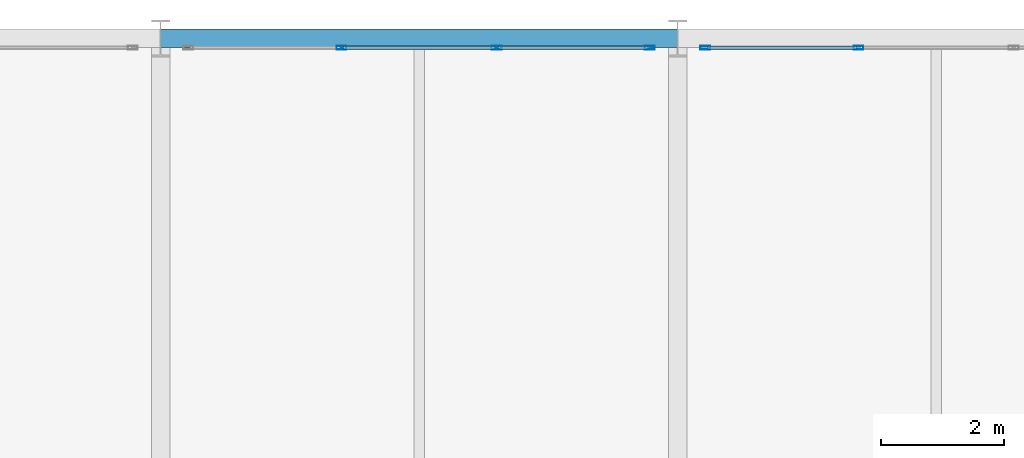
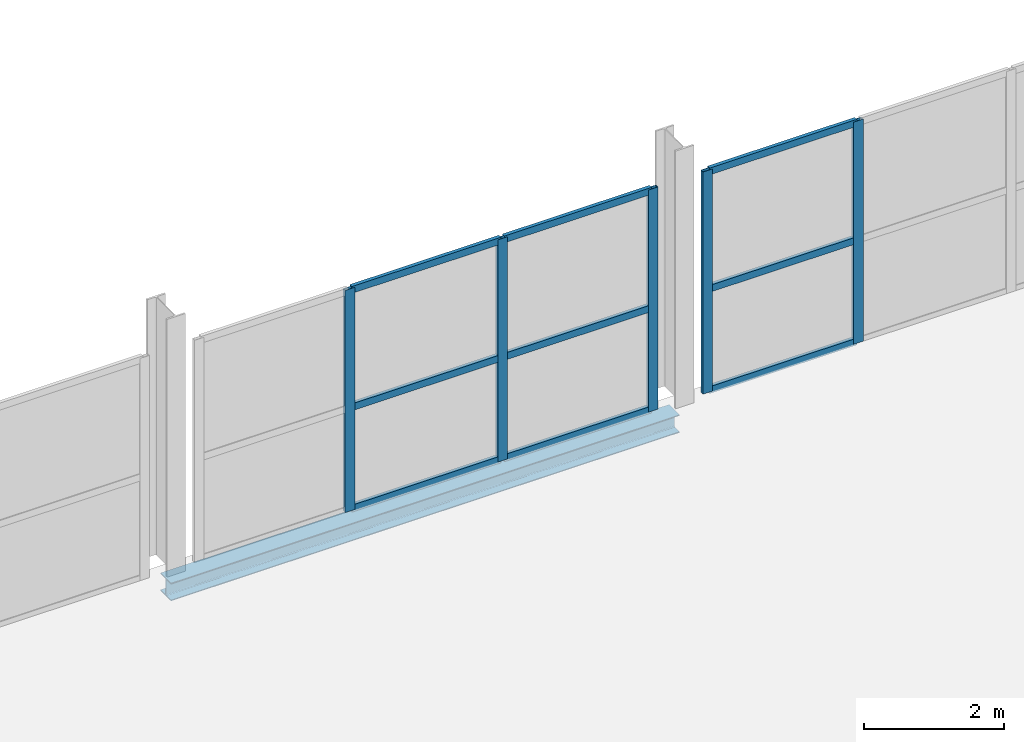
# One storey, part 56 of 109: 14 members, 1 beam, 2 elements without a shape of their own.
"""IFC4 building model written with IfcOpenShell, lengths in metres."""

from ifc_helpers import new_model, si_unit, direction, frame, origin, origin_2d, place, context, subcontext, project, spatial, hollow_rectangle, i_section, extrude, material, material_profile, profile_set, type_object, element, aggregate, save


model = new_model("IFC4")

# Units and contexts
model_context = context("Model", 3, precision=1e-05, world=origin(), true_north=direction((0.0, 1.0)))
body_context = subcontext(model_context, "Body", "Model", "MODEL_VIEW")
ifc_project = project(units=[si_unit("LENGTHUNIT", "METRE"), si_unit("AREAUNIT", "SQUARE_METRE"), si_unit("VOLUMEUNIT", "CUBIC_METRE"), si_unit("PLANEANGLEUNIT", "RADIAN"), si_unit("MASSUNIT", "GRAM", prefix="KILO")], contexts=[model_context])

# Site, building, storey
site_placement = place(None, origin())
site = spatial("IfcSite", under=ifc_project, at=site_placement, CompositionType="ELEMENT")
building_placement = place(site_placement, origin())
building = spatial("IfcBuilding", under=site, at=building_placement, Name="Veltarok Museum of Natural Sciences", CompositionType="ELEMENT")
storey_placement = place(building_placement, frame((0.0, 0.0, 17.39990234375)))
storey = spatial("IfcBuildingStorey", under=building, at=storey_placement, Name="L03", CompositionType="ELEMENT", Elevation=17.39990234375)

# Curtain wall, members
ifc_material_1 = material(Name="Low-iron triple insulated glass", Category="glass")
curtain_wall_type_1 = type_object("IfcCurtainWallType", Name="Curtain Wall System CW-V2N-L03-8-756x388 (V2 North Hall L03 8-9 756x388cm)", PredefinedType="NOTDEFINED", material=ifc_material_1)
curtain_wall_1_placement = place(storey_placement, origin())
curtain_wall_1 = element("IfcCurtainWall", 1, at=curtain_wall_1_placement, inside=storey, type_object=curtain_wall_type_1, Name="Curtain Wall CW-V2N-L03-8-756x388 CW-0057", PredefinedType="NOTDEFINED")
ifc_material_2 = material(Name="Thermally broken anodised aluminium", Category="aluminium")
ifc_material_profile_1 = material_profile(ifc_material_2, hollow_rectangle(XDim=0.06005859375, YDim=0.1201171875, WallThickness=0.0048828125, at=origin_2d()), Name="CW TRANSOM 60x120x5")
ifc_profile_set_1 = profile_set([ifc_material_profile_1], Name="Thermally broken anodised aluminium")
member_type_1 = type_object("IfcMemberType", Name="Curtain Wall Horizontal Transom 60x120x5", PredefinedType="USERDEFINED", material=ifc_profile_set_1)
member_1_placement = place(storey_placement, frame((73.1201171875, 71.85009765625, 0.030029296875), z_axis=(-1.0, 0.0, 0.0), x_axis=(0.0, -1.0, 0.0)))
member_1 = element("IfcMember", 2, at=member_1_placement, type_object=member_type_1, Name="CW-V2N-L03-8-756x388 transom 1.1", ObjectType="TRANSOM", PredefinedType="USERDEFINED", context=body_context, shape_type="SweptSolid", body=[
    extrude(hollow_rectangle(XDim=0.06005859375, YDim=0.1201171875, WallThickness=0.0048828125, at=origin_2d()), origin(), (0.0, 0.0, 1.0), 2.43017578125),
])
member_2_placement = place(storey_placement, frame((73.1201171875, 71.85009765625, 1.800048828125), z_axis=(-1.0, 0.0, 0.0), x_axis=(0.0, -1.0, 0.0)))
member_2 = element("IfcMember", 3, at=member_2_placement, type_object=member_type_1, Name="CW-V2N-L03-8-756x388 transom 1.2", ObjectType="TRANSOM", PredefinedType="USERDEFINED", context=body_context, shape_type="SweptSolid", body=[
    extrude(hollow_rectangle(XDim=0.06005859375, YDim=0.1201171875, WallThickness=0.0048828125, at=origin_2d()), origin(), (0.0, 0.0, 1.0), 2.43017578125),
])
member_3_placement = place(storey_placement, frame((73.1201171875, 71.85009765625, 3.85009765625), z_axis=(-1.0, 0.0, 0.0), x_axis=(0.0, -1.0, 0.0)))
member_3 = element("IfcMember", 4, at=member_3_placement, type_object=member_type_1, Name="CW-V2N-L03-8-756x388 transom 1.3", ObjectType="TRANSOM", PredefinedType="USERDEFINED", context=body_context, shape_type="SweptSolid", body=[
    extrude(hollow_rectangle(XDim=0.06005859375, YDim=0.1201171875, WallThickness=0.0048828125, at=origin_2d()), origin(), (0.0, 0.0, 1.0), 2.43017578125),
])
member_4_placement = place(storey_placement, frame((70.6298828125, 71.85009765625, 0.030029296875), z_axis=(-1.0, 0.0, 0.0), x_axis=(0.0, -1.0, 0.0)))
member_4 = element("IfcMember", 5, at=member_4_placement, type_object=member_type_1, Name="CW-V2N-L03-8-756x388 transom 2.1", ObjectType="TRANSOM", PredefinedType="USERDEFINED", context=body_context, shape_type="SweptSolid", body=[
    extrude(hollow_rectangle(XDim=0.06005859375, YDim=0.1201171875, WallThickness=0.0048828125, at=origin_2d()), origin(), (0.0, 0.0, 1.0), 2.4599609375),
])
member_5_placement = place(storey_placement, frame((70.6298828125, 71.85009765625, 1.800048828125), z_axis=(-1.0, 0.0, 0.0), x_axis=(0.0, -1.0, 0.0)))
member_5 = element("IfcMember", 6, at=member_5_placement, type_object=member_type_1, Name="CW-V2N-L03-8-756x388 transom 2.2", ObjectType="TRANSOM", PredefinedType="USERDEFINED", context=body_context, shape_type="SweptSolid", body=[
    extrude(hollow_rectangle(XDim=0.06005859375, YDim=0.1201171875, WallThickness=0.0048828125, at=origin_2d()), origin(), (0.0, 0.0, 1.0), 2.4599609375),
])
member_6_placement = place(storey_placement, frame((70.6298828125, 71.85009765625, 3.85009765625), z_axis=(-1.0, 0.0, 0.0), x_axis=(0.0, -1.0, 0.0)))
member_6 = element("IfcMember", 7, at=member_6_placement, type_object=member_type_1, Name="CW-V2N-L03-8-756x388 transom 2.3", ObjectType="TRANSOM", PredefinedType="USERDEFINED", context=body_context, shape_type="SweptSolid", body=[
    extrude(hollow_rectangle(XDim=0.06005859375, YDim=0.1201171875, WallThickness=0.0048828125, at=origin_2d()), origin(), (0.0, 0.0, 1.0), 2.4599609375),
])

curtain_wall_type_2 = type_object("IfcCurtainWallType", Name="Curtain Wall System CW-V2N-L03-9-756x388 (V2 North Hall L03 9-10 756x388cm)", PredefinedType="NOTDEFINED", material=ifc_material_1)
curtain_wall_2_placement = place(storey_placement, origin())
curtain_wall_2 = element("IfcCurtainWall", 8, at=curtain_wall_2_placement, inside=storey, type_object=curtain_wall_type_2, Name="Curtain Wall CW-V2N-L03-9-756x388 CW-0058", PredefinedType="NOTDEFINED")
member_7_placement = place(storey_placement, frame((76.510009765625, 71.85009765625, 0.030029296875), z_axis=(-1.0, 0.0, 0.0), x_axis=(0.0, -1.0, 0.0)))
member_7 = element("IfcMember", 9, at=member_7_placement, type_object=member_type_1, Name="CW-V2N-L03-9-756x388 transom 3.1", ObjectType="TRANSOM", PredefinedType="USERDEFINED", context=body_context, shape_type="SweptSolid", body=[
    extrude(hollow_rectangle(XDim=0.06005859375, YDim=0.1201171875, WallThickness=0.0048828125, at=origin_2d()), origin(), (0.0, 0.0, 1.0), 2.429931640625),
])
member_8_placement = place(storey_placement, frame((76.510009765625, 71.85009765625, 1.800048828125), z_axis=(-1.0, 0.0, 0.0), x_axis=(0.0, -1.0, 0.0)))
member_8 = element("IfcMember", 10, at=member_8_placement, type_object=member_type_1, Name="CW-V2N-L03-9-756x388 transom 3.2", ObjectType="TRANSOM", PredefinedType="USERDEFINED", context=body_context, shape_type="SweptSolid", body=[
    extrude(hollow_rectangle(XDim=0.06005859375, YDim=0.1201171875, WallThickness=0.0048828125, at=origin_2d()), origin(), (0.0, 0.0, 1.0), 2.429931640625),
])
member_9_placement = place(storey_placement, frame((76.510009765625, 71.85009765625, 3.85009765625), z_axis=(-1.0, 0.0, 0.0), x_axis=(0.0, -1.0, 0.0)))
member_9 = element("IfcMember", 11, at=member_9_placement, type_object=member_type_1, Name="CW-V2N-L03-9-756x388 transom 3.3", ObjectType="TRANSOM", PredefinedType="USERDEFINED", context=body_context, shape_type="SweptSolid", body=[
    extrude(hollow_rectangle(XDim=0.06005859375, YDim=0.1201171875, WallThickness=0.0048828125, at=origin_2d()), origin(), (0.0, 0.0, 1.0), 2.429931640625),
])

# Member
ifc_material_profile_2 = material_profile(ifc_material_2, hollow_rectangle(XDim=0.06005859375, YDim=0.159912109375, WallThickness=0.0048828125, at=origin_2d()), Name="CW MULLION 60x160x5")
ifc_profile_set_2 = profile_set([ifc_material_profile_2], Name="Thermally broken anodised aluminium")
member_type_2 = type_object("IfcMemberType", Name="Curtain Wall Vertical Mullion 60x160x5", PredefinedType="MULLION", material=ifc_profile_set_2)
member_10_placement = place(storey_placement, frame((73.14990234375, 71.85009765625, 0.0), z_axis=(0.0, 0.0, 1.0), x_axis=(0.0, -1.0, 0.0)))
member_10 = element("IfcMember", 12, at=member_10_placement, type_object=member_type_2, Name="CW-V2N-L03-8-756x388 mullion 1", PredefinedType="MULLION", context=body_context, shape_type="SweptSolid", body=[
    extrude(hollow_rectangle(XDim=0.06005859375, YDim=0.159912109375, WallThickness=0.0048828125, at=origin_2d()), origin(), (0.0, 0.0, 1.0), 3.880126953125),
])

member_11_placement = place(storey_placement, frame((70.659912109375, 71.85009765625, 0.0), z_axis=(0.0, 0.0, 1.0), x_axis=(0.0, -1.0, 0.0)))
member_11 = element("IfcMember", 13, at=member_11_placement, type_object=member_type_2, Name="CW-V2N-L03-8-756x388 mullion 2", PredefinedType="MULLION", context=body_context, shape_type="SweptSolid", body=[
    extrude(hollow_rectangle(XDim=0.06005859375, YDim=0.159912109375, WallThickness=0.0048828125, at=origin_2d()), origin(), (0.0, 0.0, 1.0), 3.880126953125),
])

member_12_placement = place(storey_placement, frame((68.139892578125, 71.85009765625, 0.0), z_axis=(0.0, 0.0, 1.0), x_axis=(0.0, -1.0, 0.0)))
member_12 = element("IfcMember", 14, at=member_12_placement, type_object=member_type_2, Name="CW-V2N-L03-8-756x388 mullion 3", PredefinedType="MULLION", context=body_context, shape_type="SweptSolid", body=[
    extrude(hollow_rectangle(XDim=0.06005859375, YDim=0.159912109375, WallThickness=0.0048828125, at=origin_2d()), origin(), (0.0, 0.0, 1.0), 3.880126953125),
])

aggregate(curtain_wall_1, [member_10, member_11, member_12, member_1, member_2, member_3, member_4, member_5, member_6])

member_13_placement = place(storey_placement, frame((76.5400390625, 71.85009765625, 0.0), z_axis=(0.0, 0.0, 1.0), x_axis=(0.0, -1.0, 0.0)))
member_13 = element("IfcMember", 15, at=member_13_placement, type_object=member_type_2, Name="CW-V2N-L03-9-756x388 mullion 3", PredefinedType="MULLION", context=body_context, shape_type="SweptSolid", body=[
    extrude(hollow_rectangle(XDim=0.06005859375, YDim=0.159912109375, WallThickness=0.0048828125, at=origin_2d()), origin(), (0.0, 0.0, 1.0), 3.880126953125),
])

member_14_placement = place(storey_placement, frame((74.050048828125, 71.85009765625, 0.0), z_axis=(0.0, 0.0, 1.0), x_axis=(0.0, -1.0, 0.0)))
member_14 = element("IfcMember", 16, at=member_14_placement, type_object=member_type_2, Name="CW-V2N-L03-9-756x388 mullion 4", PredefinedType="MULLION", context=body_context, shape_type="SweptSolid", body=[
    extrude(hollow_rectangle(XDim=0.06005859375, YDim=0.159912109375, WallThickness=0.0048828125, at=origin_2d()), origin(), (0.0, 0.0, 1.0), 3.880126953125),
])

aggregate(curtain_wall_2, [member_13, member_14, member_7, member_8, member_9])

# Beam
ifc_material_3 = material(Name="Steel S355J2", Category="steel")
ifc_material_profile_3 = material_profile(ifc_material_3, i_section(OverallWidth=0.300048828125, OverallDepth=0.31005859375, WebThickness=0.009033203125, FlangeThickness=0.015380859375, FilletRadius=0.027099609375, at=origin_2d()), Name="HEA 320")
ifc_profile_set_3 = profile_set([ifc_material_profile_3], Name="Steel S355J2")
beam_type = type_object("IfcBeamType", Name="Perimeter Edge Spandrel HEA 320", PredefinedType="SPANDREL", material=ifc_profile_set_3)
beam_placement = place(storey_placement, frame((65.199951171875, 72.0, -0.40478515625), z_axis=(1.0, 0.0, 0.0), x_axis=(0.0, 1.0, 0.0)))
element("IfcBeam", 17, at=beam_placement, inside=storey, type_object=beam_type, Name="Beam BM-SP04 L03 8-9/H", PredefinedType="SPANDREL", context=body_context, shape_type="SweptSolid", body=[
    extrude(i_section(OverallWidth=0.300048828125, OverallDepth=0.31005859375, WebThickness=0.009033203125, FlangeThickness=0.015380859375, FilletRadius=0.027099609375, at=origin_2d()), origin(), (0.0, 0.0, 1.0), 8.400146484375),
])

save(model, "model.ifc")
